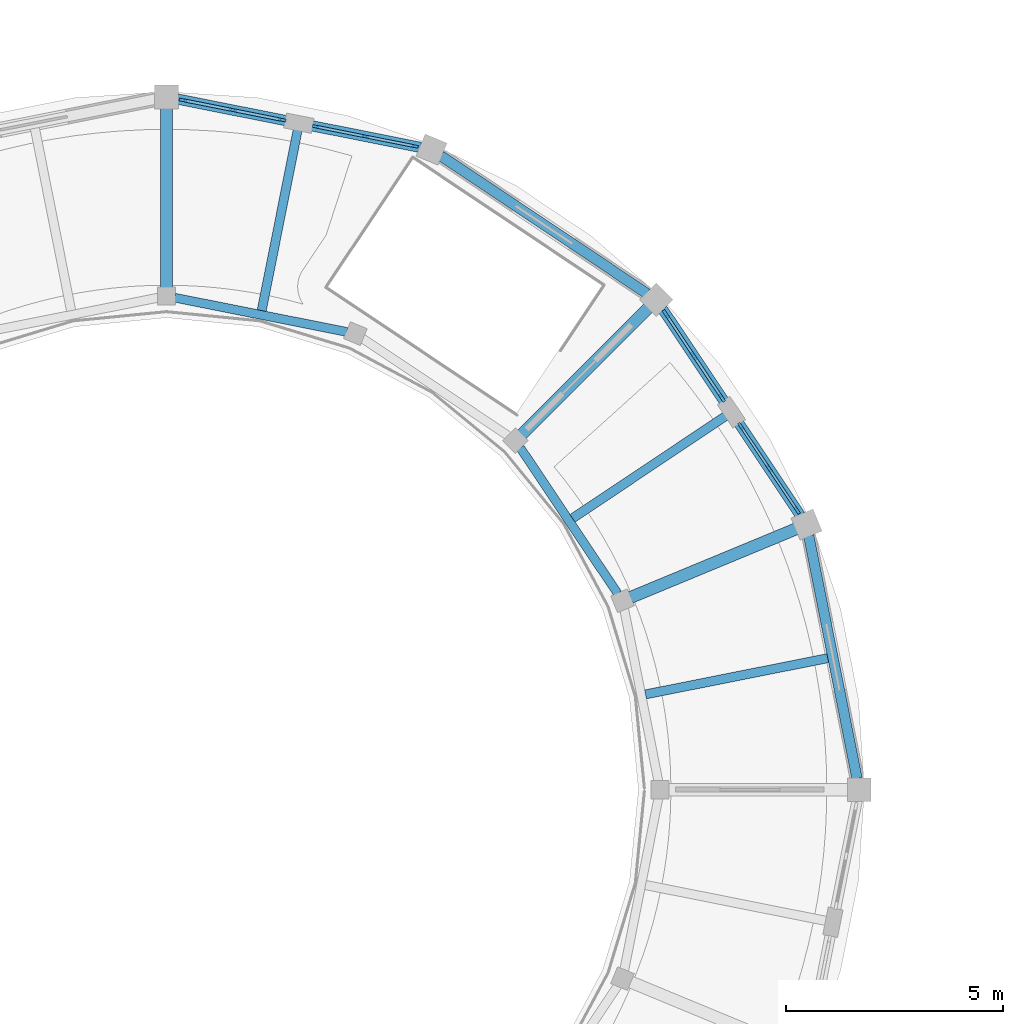
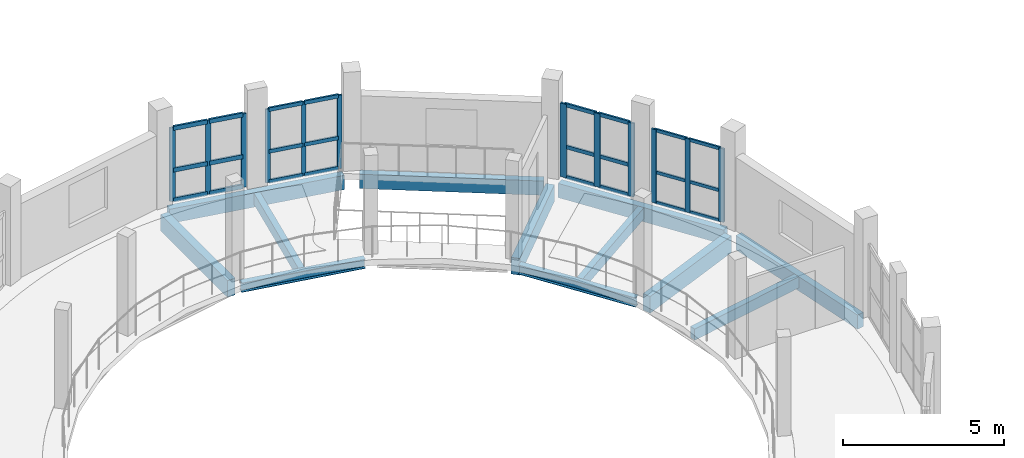
# One storey, part 36 of 77: 36 members, 12 beams, 4 elements without a shape of their own.
"""IFC4 building model written with IfcOpenShell, lengths in metres."""

from ifc_helpers import new_model, si_unit, direction, frame, origin, origin_2d, place, context, subcontext, project, spatial, rectangle, i_section, extrude, material, layer, layer_set, material_profile, profile_set, type_object, element, aggregate, save


model = new_model("IFC4")

# Units and contexts
model_context = context("Model", 3, precision=1e-05, world=origin(), true_north=direction((0.0, 1.0)))
body_context = subcontext(model_context, "Body", "Model", "MODEL_VIEW")
ifc_project = project(units=[si_unit("LENGTHUNIT", "METRE"), si_unit("AREAUNIT", "SQUARE_METRE"), si_unit("VOLUMEUNIT", "CUBIC_METRE"), si_unit("PLANEANGLEUNIT", "RADIAN"), si_unit("MASSUNIT", "GRAM", prefix="KILO")], contexts=[model_context])

# Site, building, storey
site_placement = place(None, origin())
site = spatial("IfcSite", under=ifc_project, at=site_placement, CompositionType="ELEMENT")
building_placement = place(site_placement, origin())
building = spatial("IfcBuilding", under=site, at=building_placement, Name="Caldaven Crescent School", CompositionType="ELEMENT")
storey_placement = place(building_placement, frame((0.0, 0.0, 4.419921875)))
storey = spatial("IfcBuildingStorey", under=building, at=storey_placement, Name="L01", CompositionType="ELEMENT", Elevation=4.419921875)

# Beams
ifc_material_1 = material(Name="Glulam MLE24h (GL28h)", Category="wood")
ifc_material_profile_1 = material_profile(ifc_material_1, rectangle(XDim=0.280029296875, YDim=0.6298828125, at=origin_2d()), Name="MLE 280x630")
ifc_profile_set_1 = profile_set([ifc_material_profile_1], Name="Glulam MLE24h (GL28h)")
beam_type_1 = type_object("IfcBeamType", Name="BM-GL63", PredefinedType="BEAM", material=ifc_profile_set_1)
beam_1_placement = place(storey_placement, frame((34.217041015625, 102.939208984375, -0.534912109375), z_axis=(0.923880985108, 0.382679925467, 0.0), x_axis=(-0.382679925467, 0.923880985108, 0.0)))
element("IfcBeam", 1, at=beam_1_placement, inside=storey, type_object=beam_type_1, Name="BM-V2-L01-0292", PredefinedType="BEAM", context=body_context, shape_type="SweptSolid", body=[
    extrude(rectangle(XDim=0.280029296875, YDim=0.6298828125, at=origin_2d()), origin(), (0.0, 0.0, 1.0), 4.139892578125),
])
beam_2_placement = place(storey_placement, frame((31.702392578125, 106.702392578125, -0.534912109375), z_axis=(0.707106781187, 0.707106781187, 0.0), x_axis=(-0.707106781187, 0.707106781187, 0.0)))
element("IfcBeam", 2, at=beam_2_placement, inside=storey, type_object=beam_type_1, Name="BM-V2-L01-0296", PredefinedType="BEAM", context=body_context, shape_type="SweptSolid", body=[
    extrude(rectangle(XDim=0.280029296875, YDim=0.6298828125, at=origin_2d()), origin(), (0.0, 0.0, 1.0), 4.14013671875),
])
beam_3_placement = place(storey_placement, frame((23.5, 110.10009765625, -0.534912109375), z_axis=(0.0, 1.0, 0.0), x_axis=(-1.0, 0.0, 0.0)))
element("IfcBeam", 3, at=beam_3_placement, inside=storey, type_object=beam_type_1, Name="BM-V2-L01-0302", PredefinedType="BEAM", context=body_context, shape_type="SweptSolid", body=[
    extrude(rectangle(XDim=0.280029296875, YDim=0.6298828125, at=origin_2d()), origin(), (0.0, 0.0, 1.0), 4.139892578125),
])
ifc_material_2 = material(Name="Steel ASTM A572 Grade 50", Category="steel")
ifc_material_profile_2 = material_profile(ifc_material_2, i_section(OverallWidth=0.205078125, OverallDepth=0.35400390625, WebThickness=0.009521484375, FlangeThickness=0.016845703125, FilletRadius=0.014892578125, at=origin_2d()), Name="W360x79")
ifc_profile_set_2 = profile_set([ifc_material_profile_2], Name="Steel ASTM A572 Grade 50")
beam_type_2 = type_object("IfcBeamType", Name="BM-W36", PredefinedType="BEAM", material=ifc_profile_set_2)
beam_4_placement = place(storey_placement, frame((33.921142578125, 103.02880859375, -0.39697265625), z_axis=(-0.55556277476, 0.831474595704, 0.0), x_axis=(-0.831474595704, -0.55556277476, 0.0)))
element("IfcBeam", 4, at=beam_4_placement, inside=storey, type_object=beam_type_2, Name="BM-V2-L01-0293", PredefinedType="BEAM", context=body_context, shape_type="SweptSolid", body=[
    extrude(i_section(OverallWidth=0.205078125, OverallDepth=0.35400390625, WebThickness=0.009521484375, FlangeThickness=0.016845703125, FilletRadius=0.014892578125, at=origin_2d()), origin(), (0.0, 0.0, 1.0), 4.048095703125),
])
beam_5_placement = place(storey_placement, frame((27.66650390625, 109.0712890625, -0.39697265625), z_axis=(-0.980784262971, 0.195095436925, 0.0), x_axis=(-0.195095436925, -0.980784262971, 0.0)))
element("IfcBeam", 5, at=beam_5_placement, inside=storey, type_object=beam_type_2, Name="BM-V2-L01-0299", PredefinedType="BEAM", context=body_context, shape_type="SweptSolid", body=[
    extrude(i_section(OverallWidth=0.205078125, OverallDepth=0.35400390625, WebThickness=0.009521484375, FlangeThickness=0.016845703125, FilletRadius=0.014892578125, at=origin_2d()), origin(), (0.0, 0.0, 1.0), 4.04833984375),
])

# Curtain wall, members
ifc_material_3 = material(Name="Anodised aluminium AA 6063-T6 and low-E double glazing", Category="aluminium")
ifc_layer_1 = layer(ifc_material_3, 0.22998046875)
ifc_layer_set_1 = layer_set([ifc_layer_1], Name="Anodised aluminium AA 6063-T6 and low-E double glazing")
curtain_wall_type_1 = type_object("IfcCurtainWallType", Name="CW-SYS4", PredefinedType="NOTDEFINED", material=ifc_layer_set_1)
curtain_wall_1_placement = place(storey_placement, origin())
curtain_wall_1 = element("IfcCurtainWall", 6, at=curtain_wall_1_placement, inside=storey, type_object=curtain_wall_type_1, Name="CW-L01-059", PredefinedType="NOTDEFINED")
ifc_material_4 = material(Name="Anodised aluminium AA 6063-T6", Category="aluminium")
ifc_material_profile_3 = material_profile(ifc_material_4, rectangle(XDim=0.06005859375, YDim=0.14990234375, at=origin_2d()), Name="CWM 60x150")
ifc_profile_set_3 = profile_set([ifc_material_profile_3], Name="Anodised aluminium AA 6063-T6")
member_type_1 = type_object("IfcMemberType", Name="CWM-T1", PredefinedType="MULLION", material=ifc_profile_set_3)
member_1_placement = place(storey_placement, frame((29.240478515625, 113.358154296875, 0.0), z_axis=(0.0, 0.0, 1.0), x_axis=(-0.195086997747, -0.980785941636, 0.0)))
member_1 = element("IfcMember", 7, at=member_1_placement, type_object=member_type_1, Name="CW4 mullion 1", PredefinedType="MULLION", context=body_context, shape_type="SweptSolid", body=[
    extrude(rectangle(XDim=0.06005859375, YDim=0.14990234375, at=origin_2d()), origin(), (0.0, 0.0, 1.0), 2.780029296875),
])
member_2_placement = place(storey_placement, frame((28.09228515625, 113.586669921875, 0.0), z_axis=(0.0, 0.0, 1.0), x_axis=(-0.195086997747, -0.980785941636, 0.0)))
member_2 = element("IfcMember", 8, at=member_2_placement, type_object=member_type_1, Name="CW4 mullion 2", PredefinedType="MULLION", context=body_context, shape_type="SweptSolid", body=[
    extrude(rectangle(XDim=0.06005859375, YDim=0.14990234375, at=origin_2d()), origin(), (0.0, 0.0, 1.0), 2.780029296875),
])
member_3_placement = place(storey_placement, frame((26.944091796875, 113.81494140625, 0.0), z_axis=(0.0, 0.0, 1.0), x_axis=(-0.195086997747, -0.980785941636, 0.0)))
member_3 = element("IfcMember", 9, at=member_3_placement, type_object=member_type_1, Name="CW4 mullion 3", PredefinedType="MULLION", context=body_context, shape_type="SweptSolid", body=[
    extrude(rectangle(XDim=0.06005859375, YDim=0.14990234375, at=origin_2d()), origin(), (0.0, 0.0, 1.0), 2.780029296875),
])

ifc_layer_2 = layer(ifc_material_3, 0.18994140625)
ifc_layer_set_2 = layer_set([ifc_layer_2], Name="Anodised aluminium AA 6063-T6 and low-E double glazing")
curtain_wall_type_2 = type_object("IfcCurtainWallType", Name="CW-SYS2", PredefinedType="NOTDEFINED", material=ifc_layer_set_2)
curtain_wall_2_placement = place(storey_placement, origin())
curtain_wall_2 = element("IfcCurtainWall", 10, at=curtain_wall_2_placement, inside=storey, type_object=curtain_wall_type_2, Name="CW-L01-057", PredefinedType="NOTDEFINED")
ifc_material_profile_4 = material_profile(ifc_material_4, rectangle(XDim=0.06494140625, YDim=0.179931640625, at=origin_2d()), Name="CWM 65x180")
ifc_profile_set_4 = profile_set([ifc_material_profile_4], Name="Anodised aluminium AA 6063-T6")
member_type_2 = type_object("IfcMemberType", Name="CWM-T2", PredefinedType="MULLION", material=ifc_profile_set_4)
member_4_placement = place(storey_placement, frame((38.06396484375, 104.94921875, 0.0), z_axis=(0.0, 0.0, 1.0), x_axis=(-0.831470060825, -0.555569561758, 0.0)))
member_4 = element("IfcMember", 11, at=member_4_placement, type_object=member_type_2, Name="CW2 mullion 1", PredefinedType="MULLION", context=body_context, shape_type="SweptSolid", body=[
    extrude(rectangle(XDim=0.06494140625, YDim=0.179931640625, at=origin_2d()), origin(), (0.0, 0.0, 1.0), 2.780029296875),
])
member_5_placement = place(storey_placement, frame((37.4150390625, 105.920654296875, 0.0), z_axis=(0.0, 0.0, 1.0), x_axis=(-0.831470060825, -0.555569561758, 0.0)))
member_5 = element("IfcMember", 12, at=member_5_placement, type_object=member_type_2, Name="CW2 mullion 2", PredefinedType="MULLION", context=body_context, shape_type="SweptSolid", body=[
    extrude(rectangle(XDim=0.06494140625, YDim=0.179931640625, at=origin_2d()), origin(), (0.0, 0.0, 1.0), 2.780029296875),
])
member_6_placement = place(storey_placement, frame((36.765869140625, 106.891845703125, 0.0), z_axis=(0.0, 0.0, 1.0), x_axis=(-0.831470060825, -0.555569561758, 0.0)))
member_6 = element("IfcMember", 13, at=member_6_placement, type_object=member_type_2, Name="CW2 mullion 3", PredefinedType="MULLION", context=body_context, shape_type="SweptSolid", body=[
    extrude(rectangle(XDim=0.06494140625, YDim=0.179931640625, at=origin_2d()), origin(), (0.0, 0.0, 1.0), 2.780029296875),
])

ifc_layer_3 = layer(ifc_material_3, 0.169921875)
ifc_layer_set_3 = layer_set([ifc_layer_3], Name="Anodised aluminium AA 6063-T6 and low-E double glazing")
curtain_wall_type_3 = type_object("IfcCurtainWallType", Name="CW-SYS1", PredefinedType="NOTDEFINED", material=ifc_layer_set_3)
curtain_wall_3_placement = place(storey_placement, origin())
curtain_wall_3 = element("IfcCurtainWall", 14, at=curtain_wall_3_placement, inside=storey, type_object=curtain_wall_type_3, Name="CW-L01-060", PredefinedType="NOTDEFINED")
member_7_placement = place(storey_placement, frame((26.176513671875, 113.967529296875, 0.0), z_axis=(0.0, 0.0, 1.0), x_axis=(-0.19509100343, -0.980785144861, 0.0)))
member_7 = element("IfcMember", 15, at=member_7_placement, type_object=member_type_2, Name="CW1 mullion 1", PredefinedType="MULLION", context=body_context, shape_type="SweptSolid", body=[
    extrude(rectangle(XDim=0.06494140625, YDim=0.179931640625, at=origin_2d()), origin(), (0.0, 0.0, 1.0), 2.780029296875),
])
member_8_placement = place(storey_placement, frame((25.03076171875, 114.195556640625, 0.0), z_axis=(0.0, 0.0, 1.0), x_axis=(-0.19509100343, -0.980785144861, 0.0)))
member_8 = element("IfcMember", 16, at=member_8_placement, type_object=member_type_2, Name="CW1 mullion 2", PredefinedType="MULLION", context=body_context, shape_type="SweptSolid", body=[
    extrude(rectangle(XDim=0.06494140625, YDim=0.179931640625, at=origin_2d()), origin(), (0.0, 0.0, 1.0), 2.780029296875),
])
member_9_placement = place(storey_placement, frame((23.885009765625, 114.42333984375, 0.0), z_axis=(0.0, 0.0, 1.0), x_axis=(-0.19509100343, -0.980785144861, 0.0)))
member_9 = element("IfcMember", 17, at=member_9_placement, type_object=member_type_2, Name="CW1 mullion 3", PredefinedType="MULLION", context=body_context, shape_type="SweptSolid", body=[
    extrude(rectangle(XDim=0.06494140625, YDim=0.179931640625, at=origin_2d()), origin(), (0.0, 0.0, 1.0), 2.780029296875),
])

ifc_layer_4 = layer(ifc_material_3, 0.2099609375)
ifc_layer_set_4 = layer_set([ifc_layer_4], Name="Anodised aluminium AA 6063-T6 and low-E double glazing")
curtain_wall_type_4 = type_object("IfcCurtainWallType", Name="CW-SYS3", PredefinedType="NOTDEFINED", material=ifc_layer_set_4)
curtain_wall_4_placement = place(storey_placement, origin())
curtain_wall_4 = element("IfcCurtainWall", 18, at=curtain_wall_4_placement, inside=storey, type_object=curtain_wall_type_4, Name="CW-L01-058", PredefinedType="NOTDEFINED")
ifc_material_profile_5 = material_profile(ifc_material_4, rectangle(XDim=0.070068359375, YDim=0.2099609375, at=origin_2d()), Name="CWM 70x210")
ifc_profile_set_5 = profile_set([ifc_material_profile_5], Name="Anodised aluminium AA 6063-T6")
member_type_3 = type_object("IfcMemberType", Name="CWM-T3", PredefinedType="MULLION", material=ifc_profile_set_5)
member_10_placement = place(storey_placement, frame((36.328369140625, 107.546630859375, 0.0), z_axis=(0.0, 0.0, 1.0), x_axis=(-0.831468137234, -0.555572440609, 0.0)))
member_10 = element("IfcMember", 19, at=member_10_placement, type_object=member_type_3, Name="CW3 mullion 1", PredefinedType="MULLION", context=body_context, shape_type="SweptSolid", body=[
    extrude(rectangle(XDim=0.070068359375, YDim=0.2099609375, at=origin_2d()), origin(), (0.0, 0.0, 1.0), 2.780029296875),
])
member_11_placement = place(storey_placement, frame((35.680908203125, 108.51611328125, 0.0), z_axis=(0.0, 0.0, 1.0), x_axis=(-0.831468137234, -0.555572440609, 0.0)))
member_11 = element("IfcMember", 20, at=member_11_placement, type_object=member_type_3, Name="CW3 mullion 2", PredefinedType="MULLION", context=body_context, shape_type="SweptSolid", body=[
    extrude(rectangle(XDim=0.070068359375, YDim=0.2099609375, at=origin_2d()), origin(), (0.0, 0.0, 1.0), 2.780029296875),
])
member_12_placement = place(storey_placement, frame((35.033203125, 109.4853515625, 0.0), z_axis=(0.0, 0.0, 1.0), x_axis=(-0.831468137234, -0.555572440609, 0.0)))
member_12 = element("IfcMember", 21, at=member_12_placement, type_object=member_type_3, Name="CW3 mullion 3", PredefinedType="MULLION", context=body_context, shape_type="SweptSolid", body=[
    extrude(rectangle(XDim=0.070068359375, YDim=0.2099609375, at=origin_2d()), origin(), (0.0, 0.0, 1.0), 2.780029296875),
])

# Member
ifc_material_profile_6 = material_profile(ifc_material_4, rectangle(XDim=0.06005859375, YDim=0.1201171875, at=origin_2d()), Name="CWT 60x120")
ifc_profile_set_6 = profile_set([ifc_material_profile_6], Name="Anodised aluminium AA 6063-T6")
member_type_4 = type_object("IfcMemberType", Name="CWT-T1", PredefinedType="USERDEFINED", material=ifc_profile_set_6)
member_13_placement = place(storey_placement, frame((38.0458984375, 104.976318359375, 0.030029296875), z_axis=(-0.555517115994, 0.83150510151, 0.0), x_axis=(-0.83150510151, -0.555517115994, 0.0)))
member_13 = element("IfcMember", 22, at=member_13_placement, type_object=member_type_4, Name="CW2 transom 1.1", ObjectType="TRANSOM", PredefinedType="USERDEFINED", context=body_context, shape_type="SweptSolid", body=[
    extrude(rectangle(XDim=0.06005859375, YDim=0.1201171875, at=origin_2d()), origin(), (0.0, 0.0, 1.0), 1.10302734375),
])

member_14_placement = place(storey_placement, frame((38.0458984375, 104.976318359375, 1.16796875), z_axis=(-0.555517115994, 0.83150510151, 0.0), x_axis=(-0.83150510151, -0.555517115994, 0.0)))
member_14 = element("IfcMember", 23, at=member_14_placement, type_object=member_type_4, Name="CW2 transom 1.2", ObjectType="TRANSOM", PredefinedType="USERDEFINED", context=body_context, shape_type="SweptSolid", body=[
    extrude(rectangle(XDim=0.06005859375, YDim=0.1201171875, at=origin_2d()), origin(), (0.0, 0.0, 1.0), 1.10302734375),
])

member_15_placement = place(storey_placement, frame((38.0458984375, 104.976318359375, 2.75), z_axis=(-0.555517115994, 0.83150510151, 0.0), x_axis=(-0.83150510151, -0.555517115994, 0.0)))
member_15 = element("IfcMember", 24, at=member_15_placement, type_object=member_type_4, Name="CW2 transom 1.3", ObjectType="TRANSOM", PredefinedType="USERDEFINED", context=body_context, shape_type="SweptSolid", body=[
    extrude(rectangle(XDim=0.06005859375, YDim=0.1201171875, at=origin_2d()), origin(), (0.0, 0.0, 1.0), 1.10302734375),
])

member_16_placement = place(storey_placement, frame((37.39697265625, 105.94775390625, 0.030029296875), z_axis=(-0.555670109665, 0.831402868184, 0.0), x_axis=(-0.831402868184, -0.555670109665, 0.0)))
member_16 = element("IfcMember", 25, at=member_16_placement, type_object=member_type_4, Name="CW2 transom 2.1", ObjectType="TRANSOM", PredefinedType="USERDEFINED", context=body_context, shape_type="SweptSolid", body=[
    extrude(rectangle(XDim=0.06005859375, YDim=0.1201171875, at=origin_2d()), origin(), (0.0, 0.0, 1.0), 1.103271484375),
])

member_17_placement = place(storey_placement, frame((37.39697265625, 105.94775390625, 1.16796875), z_axis=(-0.555670109665, 0.831402868184, 0.0), x_axis=(-0.831402868184, -0.555670109665, 0.0)))
member_17 = element("IfcMember", 26, at=member_17_placement, type_object=member_type_4, Name="CW2 transom 2.2", ObjectType="TRANSOM", PredefinedType="USERDEFINED", context=body_context, shape_type="SweptSolid", body=[
    extrude(rectangle(XDim=0.06005859375, YDim=0.1201171875, at=origin_2d()), origin(), (0.0, 0.0, 1.0), 1.103271484375),
])

member_18_placement = place(storey_placement, frame((37.39697265625, 105.94775390625, 2.75), z_axis=(-0.555670109665, 0.831402868184, 0.0), x_axis=(-0.831402868184, -0.555670109665, 0.0)))
member_18 = element("IfcMember", 27, at=member_18_placement, type_object=member_type_4, Name="CW2 transom 2.3", ObjectType="TRANSOM", PredefinedType="USERDEFINED", context=body_context, shape_type="SweptSolid", body=[
    extrude(rectangle(XDim=0.06005859375, YDim=0.1201171875, at=origin_2d()), origin(), (0.0, 0.0, 1.0), 1.103271484375),
])

aggregate(curtain_wall_2, [member_4, member_5, member_6, member_13, member_14, member_15, member_16, member_17, member_18])

ifc_material_profile_7 = material_profile(ifc_material_4, rectangle(XDim=0.06494140625, YDim=0.139892578125, at=origin_2d()), Name="CWT 65x140")
ifc_profile_set_7 = profile_set([ifc_material_profile_7], Name="Anodised aluminium AA 6063-T6")
member_type_5 = type_object("IfcMemberType", Name="CWT-T2", PredefinedType="USERDEFINED", material=ifc_profile_set_7)
member_19_placement = place(storey_placement, frame((36.30908203125, 107.575927734375, 0.032470703125), z_axis=(-0.555728200489, 0.831364040106, 0.0), x_axis=(-0.831364040106, -0.555728200489, 0.0)))
member_19 = element("IfcMember", 28, at=member_19_placement, type_object=member_type_5, Name="CW3 transom 1.1", ObjectType="TRANSOM", PredefinedType="USERDEFINED", context=body_context, shape_type="SweptSolid", body=[
    extrude(rectangle(XDim=0.06494140625, YDim=0.139892578125, at=origin_2d()), origin(), (0.0, 0.0, 1.0), 1.095703125),
])

member_20_placement = place(storey_placement, frame((36.30908203125, 107.575927734375, 1.16796875), z_axis=(-0.555728200489, 0.831364040106, 0.0), x_axis=(-0.831364040106, -0.555728200489, 0.0)))
member_20 = element("IfcMember", 29, at=member_20_placement, type_object=member_type_5, Name="CW3 transom 1.2", ObjectType="TRANSOM", PredefinedType="USERDEFINED", context=body_context, shape_type="SweptSolid", body=[
    extrude(rectangle(XDim=0.06494140625, YDim=0.139892578125, at=origin_2d()), origin(), (0.0, 0.0, 1.0), 1.095703125),
])

member_21_placement = place(storey_placement, frame((36.30908203125, 107.575927734375, 2.74755859375), z_axis=(-0.555728200489, 0.831364040106, 0.0), x_axis=(-0.831364040106, -0.555728200489, 0.0)))
member_21 = element("IfcMember", 30, at=member_21_placement, type_object=member_type_5, Name="CW3 transom 1.3", ObjectType="TRANSOM", PredefinedType="USERDEFINED", context=body_context, shape_type="SweptSolid", body=[
    extrude(rectangle(XDim=0.06494140625, YDim=0.139892578125, at=origin_2d()), origin(), (0.0, 0.0, 1.0), 1.095703125),
])

member_22_placement = place(storey_placement, frame((35.661376953125, 108.545166015625, 0.032470703125), z_axis=(-0.555625266885, 0.831432837215, 0.0), x_axis=(-0.831432837215, -0.555625266885, 0.0)))
member_22 = element("IfcMember", 31, at=member_22_placement, type_object=member_type_5, Name="CW3 transom 2.1", ObjectType="TRANSOM", PredefinedType="USERDEFINED", context=body_context, shape_type="SweptSolid", body=[
    extrude(rectangle(XDim=0.06494140625, YDim=0.139892578125, at=origin_2d()), origin(), (0.0, 0.0, 1.0), 1.095947265625),
])

member_23_placement = place(storey_placement, frame((35.661376953125, 108.545166015625, 1.16796875), z_axis=(-0.555625266885, 0.831432837215, 0.0), x_axis=(-0.831432837215, -0.555625266885, 0.0)))
member_23 = element("IfcMember", 32, at=member_23_placement, type_object=member_type_5, Name="CW3 transom 2.2", ObjectType="TRANSOM", PredefinedType="USERDEFINED", context=body_context, shape_type="SweptSolid", body=[
    extrude(rectangle(XDim=0.06494140625, YDim=0.139892578125, at=origin_2d()), origin(), (0.0, 0.0, 1.0), 1.095947265625),
])

member_24_placement = place(storey_placement, frame((35.661376953125, 108.545166015625, 2.74755859375), z_axis=(-0.555625266885, 0.831432837215, 0.0), x_axis=(-0.831432837215, -0.555625266885, 0.0)))
member_24 = element("IfcMember", 33, at=member_24_placement, type_object=member_type_5, Name="CW3 transom 2.3", ObjectType="TRANSOM", PredefinedType="USERDEFINED", context=body_context, shape_type="SweptSolid", body=[
    extrude(rectangle(XDim=0.06494140625, YDim=0.139892578125, at=origin_2d()), origin(), (0.0, 0.0, 1.0), 1.095947265625),
])

aggregate(curtain_wall_4, [member_10, member_11, member_12, member_19, member_20, member_21, member_22, member_23, member_24])

member_25_placement = place(storey_placement, frame((29.2109375, 113.364013671875, 0.032470703125), z_axis=(-0.98076622288, 0.195186106212, 0.0), x_axis=(-0.195186106212, -0.98076622288, 0.0)))
member_25 = element("IfcMember", 34, at=member_25_placement, type_object=member_type_5, Name="CW4 transom 1.1", ObjectType="TRANSOM", PredefinedType="USERDEFINED", context=body_context, shape_type="SweptSolid", body=[
    extrude(rectangle(XDim=0.06494140625, YDim=0.139892578125, at=origin_2d()), origin(), (0.0, 0.0, 1.0), 1.11083984375),
])

member_26_placement = place(storey_placement, frame((29.2109375, 113.364013671875, 1.16796875), z_axis=(-0.98076622288, 0.195186106212, 0.0), x_axis=(-0.195186106212, -0.98076622288, 0.0)))
member_26 = element("IfcMember", 35, at=member_26_placement, type_object=member_type_5, Name="CW4 transom 1.2", ObjectType="TRANSOM", PredefinedType="USERDEFINED", context=body_context, shape_type="SweptSolid", body=[
    extrude(rectangle(XDim=0.06494140625, YDim=0.139892578125, at=origin_2d()), origin(), (0.0, 0.0, 1.0), 1.11083984375),
])

member_27_placement = place(storey_placement, frame((29.2109375, 113.364013671875, 2.74755859375), z_axis=(-0.98076622288, 0.195186106212, 0.0), x_axis=(-0.195186106212, -0.98076622288, 0.0)))
member_27 = element("IfcMember", 36, at=member_27_placement, type_object=member_type_5, Name="CW4 transom 1.3", ObjectType="TRANSOM", PredefinedType="USERDEFINED", context=body_context, shape_type="SweptSolid", body=[
    extrude(rectangle(XDim=0.06494140625, YDim=0.139892578125, at=origin_2d()), origin(), (0.0, 0.0, 1.0), 1.11083984375),
])

member_28_placement = place(storey_placement, frame((28.062744140625, 113.592529296875, 0.032470703125), z_axis=(-0.980808279432, 0.194974662451, 0.0), x_axis=(-0.194974662451, -0.980808279432, 0.0)))
member_28 = element("IfcMember", 37, at=member_28_placement, type_object=member_type_5, Name="CW4 transom 2.1", ObjectType="TRANSOM", PredefinedType="USERDEFINED", context=body_context, shape_type="SweptSolid", body=[
    extrude(rectangle(XDim=0.06494140625, YDim=0.139892578125, at=origin_2d()), origin(), (0.0, 0.0, 1.0), 1.110595703125),
])

member_29_placement = place(storey_placement, frame((28.062744140625, 113.592529296875, 1.16796875), z_axis=(-0.980808279432, 0.194974662451, 0.0), x_axis=(-0.194974662451, -0.980808279432, 0.0)))
member_29 = element("IfcMember", 38, at=member_29_placement, type_object=member_type_5, Name="CW4 transom 2.2", ObjectType="TRANSOM", PredefinedType="USERDEFINED", context=body_context, shape_type="SweptSolid", body=[
    extrude(rectangle(XDim=0.06494140625, YDim=0.139892578125, at=origin_2d()), origin(), (0.0, 0.0, 1.0), 1.110595703125),
])

member_30_placement = place(storey_placement, frame((28.062744140625, 113.592529296875, 2.74755859375), z_axis=(-0.980808279432, 0.194974662451, 0.0), x_axis=(-0.194974662451, -0.980808279432, 0.0)))
member_30 = element("IfcMember", 39, at=member_30_placement, type_object=member_type_5, Name="CW4 transom 2.3", ObjectType="TRANSOM", PredefinedType="USERDEFINED", context=body_context, shape_type="SweptSolid", body=[
    extrude(rectangle(XDim=0.06494140625, YDim=0.139892578125, at=origin_2d()), origin(), (0.0, 0.0, 1.0), 1.110595703125),
])

aggregate(curtain_wall_1, [member_1, member_2, member_3, member_25, member_26, member_27, member_28, member_29, member_30])

ifc_material_profile_8 = material_profile(ifc_material_4, rectangle(XDim=0.070068359375, YDim=0.159912109375, at=origin_2d()), Name="CWT 70x160")
ifc_profile_set_8 = profile_set([ifc_material_profile_8], Name="Anodised aluminium AA 6063-T6")
member_type_6 = type_object("IfcMemberType", Name="CWT-T3", PredefinedType="USERDEFINED", material=ifc_profile_set_8)
member_31_placement = place(storey_placement, frame((26.14453125, 113.973876953125, 0.03515625), z_axis=(-0.980767476073, 0.195179809092, 0.0), x_axis=(-0.195179809092, -0.980767476073, 0.0)))
member_31 = element("IfcMember", 40, at=member_31_placement, type_object=member_type_6, Name="CW1 transom 1.1", ObjectType="TRANSOM", PredefinedType="USERDEFINED", context=body_context, shape_type="SweptSolid", body=[
    extrude(rectangle(XDim=0.070068359375, YDim=0.159912109375, at=origin_2d()), origin(), (0.0, 0.0, 1.0), 1.103271484375),
])

member_32_placement = place(storey_placement, frame((26.14453125, 113.973876953125, 1.16796875), z_axis=(-0.980767476073, 0.195179809092, 0.0), x_axis=(-0.195179809092, -0.980767476073, 0.0)))
member_32 = element("IfcMember", 41, at=member_32_placement, type_object=member_type_6, Name="CW1 transom 1.2", ObjectType="TRANSOM", PredefinedType="USERDEFINED", context=body_context, shape_type="SweptSolid", body=[
    extrude(rectangle(XDim=0.070068359375, YDim=0.159912109375, at=origin_2d()), origin(), (0.0, 0.0, 1.0), 1.103271484375),
])

member_33_placement = place(storey_placement, frame((26.14453125, 113.973876953125, 2.7451171875), z_axis=(-0.980767476073, 0.195179809092, 0.0), x_axis=(-0.195179809092, -0.980767476073, 0.0)))
member_33 = element("IfcMember", 42, at=member_33_placement, type_object=member_type_6, Name="CW1 transom 1.3", ObjectType="TRANSOM", PredefinedType="USERDEFINED", context=body_context, shape_type="SweptSolid", body=[
    extrude(rectangle(XDim=0.070068359375, YDim=0.159912109375, at=origin_2d()), origin(), (0.0, 0.0, 1.0), 1.103271484375),
])

member_34_placement = place(storey_placement, frame((24.998779296875, 114.201904296875, 0.03515625), z_axis=(-0.980809815902, 0.19496693317, 0.0), x_axis=(-0.19496693317, -0.980809815902, 0.0)))
member_34 = element("IfcMember", 43, at=member_34_placement, type_object=member_type_6, Name="CW1 transom 2.1", ObjectType="TRANSOM", PredefinedType="USERDEFINED", context=body_context, shape_type="SweptSolid", body=[
    extrude(rectangle(XDim=0.070068359375, YDim=0.159912109375, at=origin_2d()), origin(), (0.0, 0.0, 1.0), 1.103271484375),
])

member_35_placement = place(storey_placement, frame((24.998779296875, 114.201904296875, 1.16796875), z_axis=(-0.980809815902, 0.19496693317, 0.0), x_axis=(-0.19496693317, -0.980809815902, 0.0)))
member_35 = element("IfcMember", 44, at=member_35_placement, type_object=member_type_6, Name="CW1 transom 2.2", ObjectType="TRANSOM", PredefinedType="USERDEFINED", context=body_context, shape_type="SweptSolid", body=[
    extrude(rectangle(XDim=0.070068359375, YDim=0.159912109375, at=origin_2d()), origin(), (0.0, 0.0, 1.0), 1.103271484375),
])

member_36_placement = place(storey_placement, frame((24.998779296875, 114.201904296875, 2.7451171875), z_axis=(-0.980809815902, 0.19496693317, 0.0), x_axis=(-0.19496693317, -0.980809815902, 0.0)))
member_36 = element("IfcMember", 45, at=member_36_placement, type_object=member_type_6, Name="CW1 transom 2.3", ObjectType="TRANSOM", PredefinedType="USERDEFINED", context=body_context, shape_type="SweptSolid", body=[
    extrude(rectangle(XDim=0.070068359375, YDim=0.159912109375, at=origin_2d()), origin(), (0.0, 0.0, 1.0), 1.103271484375),
])

aggregate(curtain_wall_3, [member_7, member_8, member_9, member_31, member_32, member_33, member_34, member_35, member_36])

# Beams
ifc_material_profile_9 = material_profile(ifc_material_1, rectangle(XDim=0.2099609375, YDim=0.419921875, at=origin_2d()), Name="MLE 210x420")
ifc_profile_set_9 = profile_set([ifc_material_profile_9], Name="Glulam MLE24h (GL28h)")
beam_type_3 = type_object("IfcBeamType", Name="JS-GL42", PredefinedType="JOIST", material=ifc_profile_set_9)
beam_6_placement = place(storey_placement, frame((34.564208984375, 100.70068359375, -0.429931640625), z_axis=(0.980779272927, 0.195120521208, 0.0), x_axis=(-0.195120521208, 0.980779272927, 0.0)))
element("IfcBeam", 46, at=beam_6_placement, inside=storey, type_object=beam_type_3, Name="JS-V2-L01-0291", PredefinedType="JOIST", context=body_context, shape_type="SweptSolid", body=[
    extrude(rectangle(XDim=0.2099609375, YDim=0.419921875, at=origin_2d()), origin(), (0.0, 0.0, 1.0), 4.291748046875),
])
beam_7_placement = place(storey_placement, frame((32.8798828125, 104.767333984375, -0.429931640625), z_axis=(0.831454653255, 0.555592620164, 0.0), x_axis=(-0.555592620164, 0.831454653255, 0.0)))
element("IfcBeam", 47, at=beam_7_placement, inside=storey, type_object=beam_type_3, Name="JS-V2-L01-0295", PredefinedType="JOIST", context=body_context, shape_type="SweptSolid", body=[
    extrude(rectangle(XDim=0.2099609375, YDim=0.419921875, at=origin_2d()), origin(), (0.0, 0.0, 1.0), 4.29150390625),
])
beam_8_placement = place(storey_placement, frame((25.70068359375, 109.564208984375, -0.429931640625), z_axis=(0.195120521208, 0.980779272927, 0.0), x_axis=(-0.980779272927, 0.195120521208, 0.0)))
element("IfcBeam", 48, at=beam_8_placement, inside=storey, type_object=beam_type_3, Name="JS-V2-L01-0301", PredefinedType="JOIST", context=body_context, shape_type="SweptSolid", body=[
    extrude(rectangle(XDim=0.2099609375, YDim=0.419921875, at=origin_2d()), origin(), (0.0, 0.0, 1.0), 4.291748046875),
])
ifc_material_profile_10 = material_profile(ifc_material_1, rectangle(XDim=0.239990234375, YDim=0.5400390625, at=origin_2d()), Name="MLE 240x540")
ifc_profile_set_10 = profile_set([ifc_material_profile_10], Name="Glulam MLE24h (GL28h)")
beam_type_4 = type_object("IfcBeamType", Name="SP-GL54", PredefinedType="SPANDREL", material=ifc_profile_set_10)
for number, where, z_axis, x_axis, name in (
    (49, (39.44921875, 98.7548828125, -0.489990234375), (-0.195082351248, 0.980786865854, 0.0), (-0.980786865854, -0.195082351248, 0.0), "BM-V2-L01-0290"),
    (50, (38.1376953125, 104.839111328125, -0.489990234375), (-0.555576082938, 0.831465703483, 0.0), (-0.831465703483, -0.555576082938, 0.0), "BM-V2-L01-0294"),
    (51, (34.597412109375, 109.958251953125, -0.489990234375), (-0.831465703483, 0.555576082938, 0.0), (-0.555576082938, -0.831465703483, 0.0), "BM-V2-L01-0298"),
    (52, (29.367919921875, 113.332763671875, -0.489990234375), (-0.980786865854, 0.195082351248, 0.0), (-0.195082351248, -0.980786865854, 0.0), "BM-V2-L01-0300"),
):
    element("IfcBeam", number, at=place(storey_placement, frame(where, z_axis=z_axis, x_axis=x_axis)), inside=storey, type_object=beam_type_4, Name=name, PredefinedType="SPANDREL", context=body_context, shape_type="SweptSolid", body=[
        extrude(rectangle(XDim=0.239990234375, YDim=0.5400390625, at=origin_2d()), origin(), (0.0, 0.0, 1.0), 5.722900390625),
    ])

save(model, "model.ifc")
